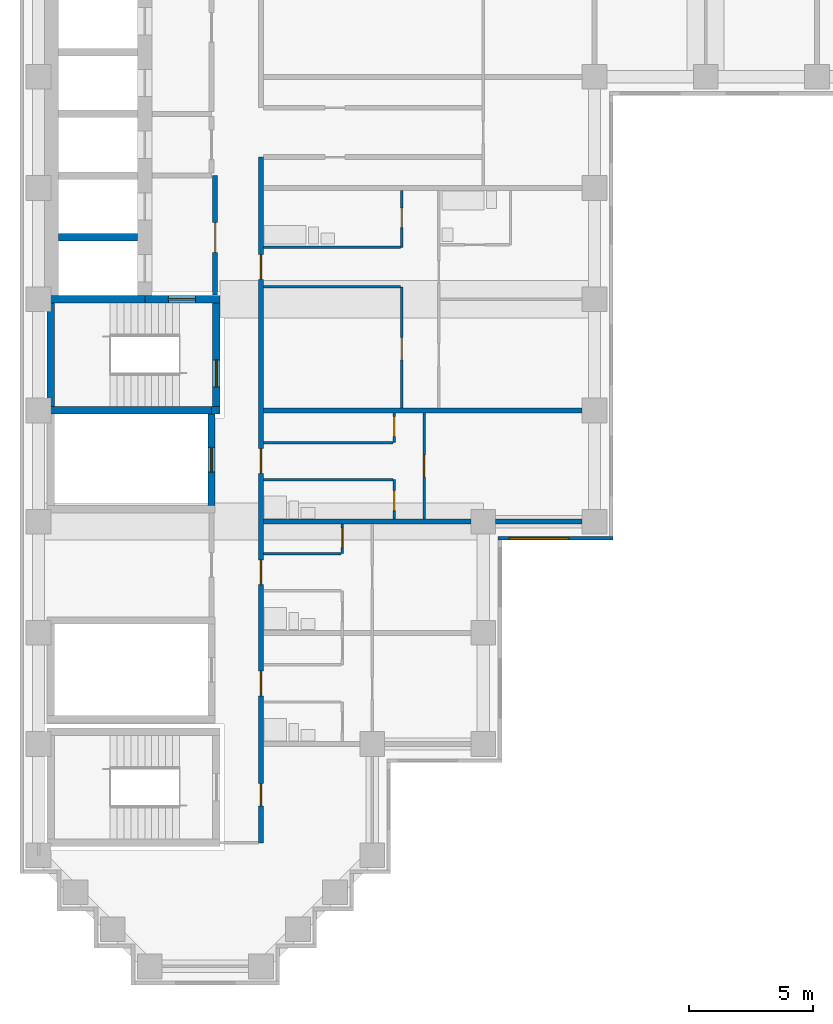
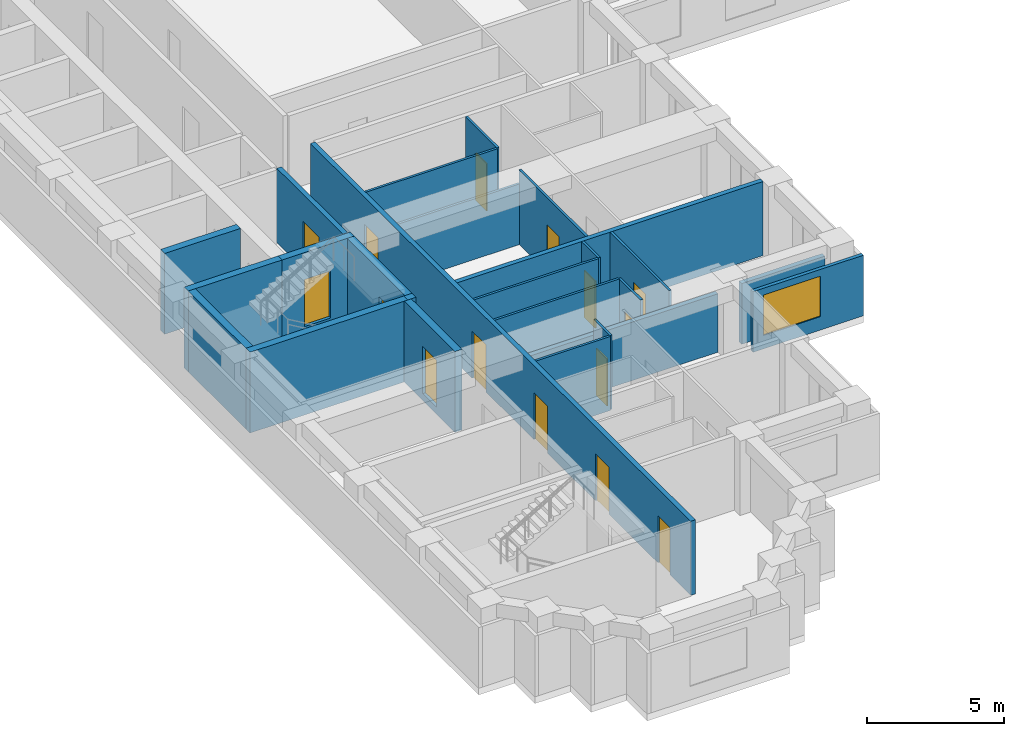
# One storey, part 3 of 12: 25 walls, 15 doors, 1 window, 16 openings.
"""IFC4 building model written with IfcOpenShell, lengths in metres."""

from ifc_helpers import new_model, si_unit, direction, frame, frame_2d, origin, place, context, subcontext, project, spatial, rectangle, extrude, material, layer, layer_set, type_object, element, fill, save


model = new_model("IFC4")

# Units and contexts
model_context = context("Model", 3, precision=1e-05, world=origin(), true_north=direction((0.0, 1.0)))
body_context = subcontext(model_context, "Body", "Model", "MODEL_VIEW")
ifc_project = project(units=[si_unit("LENGTHUNIT", "METRE"), si_unit("AREAUNIT", "SQUARE_METRE"), si_unit("VOLUMEUNIT", "CUBIC_METRE"), si_unit("PLANEANGLEUNIT", "RADIAN"), si_unit("MASSUNIT", "GRAM", prefix="KILO")], contexts=[model_context])

# Site, building, storey
site_placement = place(None, origin())
site = spatial("IfcSite", under=ifc_project, at=site_placement, CompositionType="ELEMENT")
building_placement = place(site_placement, origin())
building = spatial("IfcBuilding", under=site, at=building_placement, Name="Firuza Court", CompositionType="ELEMENT")
storey_placement = place(building_placement, frame((0.0, 0.0, 152.0)))
storey = spatial("IfcBuildingStorey", under=building, at=storey_placement, Name="L38", CompositionType="ELEMENT", Elevation=152.0)

# Walls
ifc_material_1 = material(Name="Moisture-resistant gypsum board partition")
ifc_layer_1 = layer(ifc_material_1, 0.10009765625)
ifc_layer_set_1 = layer_set([ifc_layer_1], Name="Moisture-resistant gypsum board partition")
wall_type_1 = type_object("IfcWallType", Name="Bathroom partition 100", PredefinedType="PLUMBINGWALL", material=ifc_layer_set_1)
wall_1_placement = place(storey_placement, frame((9.10009765625, 19.699951171875, 0.0), z_axis=(0.0, 0.0, 1.0), x_axis=(1.0, 0.0, 0.0)))
element("IfcWall", 1, at=wall_1_placement, inside=storey, type_object=wall_type_1, Name="Bathroom partition 100 L38", PredefinedType="PLUMBINGWALL", context=body_context, shape_type="SweptSolid", body=[
    extrude(rectangle(XDim=5.25, YDim=0.10009765625, at=frame_2d((2.625, 0.0))), origin(), (0.0, 0.0, 1.0), 3.300048828125),
])
wall_2_placement = place(storey_placement, frame((9.10009765625, 29.10009765625, 0.0), z_axis=(0.0, 0.0, 1.0), x_axis=(1.0, 0.0, 0.0)))
element("IfcWall", 2, at=wall_2_placement, inside=storey, type_object=wall_type_1, Name="Bathroom partition 100 L38", PredefinedType="PLUMBINGWALL", context=body_context, shape_type="SweptSolid", body=[
    extrude(rectangle(XDim=5.5498046875, YDim=0.10009765625, at=frame_2d((2.77490234375, 0.0))), origin(), (0.0, 0.0, 1.0), 3.300048828125),
])
ifc_material_2 = material(Name="Concrete C60/75", Category="concrete")
ifc_layer_2 = layer(ifc_material_2, 0.300048828125)
ifc_layer_set_2 = layer_set([ifc_layer_2], Name="Concrete C60/75")
wall_type_2 = type_object("IfcWallType", Name="Core wall 300 C60/75", PredefinedType="SHEAR", material=ifc_layer_set_2)
wall_3_placement = place(storey_placement, frame((0.35009765625, 22.5, -0.300048828125), z_axis=(0.0, 0.0, 1.0), x_axis=(1.0, 0.0, 0.0)))
element("IfcWall", 3, at=wall_3_placement, inside=storey, type_object=wall_type_2, Name="Core wall riser L38", PredefinedType="SHEAR", context=body_context, shape_type="SweptSolid", body=[
    extrude(rectangle(XDim=6.64990234375, YDim=0.300048828125, at=frame_2d((3.324951171875, 0.0))), origin(), (0.0, 0.0, 1.0), 3.60009765625),
])
wall_4_placement = place(storey_placement, frame((0.35009765625, 27.0, -0.300048828125), z_axis=(0.0, 0.0, 1.0), x_axis=(1.0, 0.0, 0.0)))
element("IfcWall", 4, at=wall_4_placement, inside=storey, type_object=wall_type_2, Name="Core wall lift shaft L38", PredefinedType="SHEAR", context=body_context, shape_type="SweptSolid", body=[
    extrude(rectangle(XDim=3.949951171875, YDim=0.300048828125, at=frame_2d((1.97509765625, 0.0))), origin(), (0.0, 0.0, 1.0), 3.60009765625),
])
wall_5_placement = place(storey_placement, frame((0.5, 22.64990234375, -0.300048828125), z_axis=(0.0, 0.0, 1.0), x_axis=(0.0, 1.0, 0.0)))
element("IfcWall", 5, at=wall_5_placement, inside=storey, type_object=wall_type_2, Name="Core wall stair L38", PredefinedType="SHEAR", context=body_context, shape_type="SweptSolid", body=[
    extrude(rectangle(XDim=4.2001953125, YDim=0.300048828125, at=frame_2d((2.10009765625, 0.0))), origin(), (0.0, 0.0, 1.0), 3.60009765625),
])
wall_6_placement = place(storey_placement, frame((0.800048828125, 29.5, -0.300048828125), z_axis=(0.0, 0.0, 1.0), x_axis=(1.0, 0.0, 0.0)))
element("IfcWall", 6, at=wall_6_placement, inside=storey, type_object=wall_type_2, Name="Core wall lift shaft L38", PredefinedType="SHEAR", context=body_context, shape_type="SweptSolid", body=[
    extrude(rectangle(XDim=3.199951171875, YDim=0.300048828125, at=frame_2d((1.60009765625, 0.0))), origin(), (0.0, 0.0, 1.0), 3.60009765625),
])

# Wall, opening, door
wall_7_placement = place(storey_placement, frame((4.300048828125, 27.0, -0.300048828125), z_axis=(0.0, 0.0, 1.0), x_axis=(1.0, 0.0, 0.0)))
wall_7 = element("IfcWall", 7, at=wall_7_placement, inside=storey, type_object=wall_type_2, Name="Core wall stair L38", PredefinedType="SHEAR", context=body_context, shape_type="SweptSolid", body=[
    extrude(rectangle(XDim=3.050048828125, YDim=0.300048828125, at=frame_2d((1.52490234375, 0.0))), origin(), (0.0, 0.0, 1.0), 3.60009765625),
])
opening_1_placement = place(wall_7_placement, frame((0.949951171875, 0.0, 0.300048828125)))
opening_1 = element("IfcOpeningElement", 8, at=opening_1_placement, cuts=wall_7, Name="Opening D38013", PredefinedType="OPENING", context=body_context, shape_type="SweptSolid", body=[
    extrude(rectangle(XDim=1.10009765625, YDim=2.10009765625, at=frame_2d((0.550048828125, 1.050048828125))), frame((0.0, 0.162109375, 0.0), z_axis=(0.0, -1.0, 0.0), x_axis=(1.0, 0.0, 0.0)), (0.0, 0.0, 1.0), 0.323974609375),
])
ifc_material_3 = material(Name="Timber door leaf in hardwood frame", Category="wood")
door_type_1 = type_object("IfcDoorType", Name="Stair door 1100", OperationType="SINGLE_SWING_LEFT", PredefinedType="DOOR", material=ifc_material_3)
door_1_placement = place(opening_1_placement, frame((1.10009765625, 0.0, 0.0), z_axis=(0.0, 0.0, 1.0), x_axis=(-1.0, 0.0, 0.0)))
door_1 = element("IfcDoor", 9, at=door_1_placement, inside=storey, type_object=door_type_1, Name="Fire-fighting lobby door", OperationType="SINGLE_SWING_LEFT", OverallHeight=2.10009765625, OverallWidth=1.10009765625, PredefinedType="DOOR", context=body_context, shape_type="SweptSolid", body=[
    extrude(rectangle(XDim=1.10009765625, YDim=2.10009765625, at=frame_2d((0.550048828125, 1.050048828125))), frame((0.0, 0.02490234375, 0.0), z_axis=(0.0, -1.0, 0.0), x_axis=(1.0, 0.0, 0.0)), (0.0, 0.0, 1.0), 0.050048828125),
])
fill(opening_1, door_1)

wall_8_placement = place(storey_placement, frame((7.0, 18.64990234375, -0.300048828125), z_axis=(0.0, 0.0, 1.0), x_axis=(0.0, 1.0, 0.0)))
wall_8 = element("IfcWall", 10, at=wall_8_placement, inside=storey, type_object=wall_type_2, Name="Core wall riser L38", PredefinedType="SHEAR", context=body_context, shape_type="SweptSolid", body=[
    extrude(rectangle(XDim=3.7001953125, YDim=0.300048828125, at=frame_2d((1.85009765625, 0.0))), origin(), (0.0, 0.0, 1.0), 3.60009765625),
])
opening_2_placement = place(wall_8_placement, frame((1.35009765625, 0.0, 0.300048828125)))
opening_2 = element("IfcOpeningElement", 11, at=opening_2_placement, cuts=wall_8, Name="Opening D38009", PredefinedType="OPENING", context=body_context, shape_type="SweptSolid", body=[
    extrude(rectangle(XDim=1.0, YDim=2.10009765625, at=frame_2d((0.5, 1.050048828125))), frame((0.0, 0.162109375, 0.0), z_axis=(0.0, -1.0, 0.0), x_axis=(1.0, 0.0, 0.0)), (0.0, 0.0, 1.0), 0.323974609375),
])
ifc_material_4 = material(Name="Timber door leaf in hardwood frame", Category="wood")
door_type_2 = type_object("IfcDoorType", Name="Riser door 1000", OperationType="SINGLE_SWING_LEFT", PredefinedType="DOOR", material=ifc_material_4)
door_2_placement = place(opening_2_placement, origin())
door_2 = element("IfcDoor", 12, at=door_2_placement, inside=storey, type_object=door_type_2, Name="Riser door R1", OperationType="SINGLE_SWING_LEFT", OverallHeight=2.10009765625, OverallWidth=1.0, PredefinedType="DOOR", context=body_context, shape_type="SweptSolid", body=[
    extrude(rectangle(XDim=1.0, YDim=2.10009765625, at=frame_2d((0.5, 1.050048828125))), frame((0.0, 0.02490234375, 0.0), z_axis=(0.0, -1.0, 0.0), x_axis=(1.0, 0.0, 0.0)), (0.0, 0.0, 1.0), 0.050048828125),
])
fill(opening_2, door_2)

# Wall
wall_9_placement = place(storey_placement, frame((7.0, 22.5, -0.300048828125), z_axis=(0.0, 0.0, 1.0), x_axis=(1.0, 0.0, 0.0)))
element("IfcWall", 13, at=wall_9_placement, inside=storey, type_object=wall_type_2, Name="Core wall stair L38", PredefinedType="SHEAR", context=body_context, shape_type="SweptSolid", body=[
    extrude(rectangle(XDim=0.35009765625, YDim=0.300048828125, at=frame_2d((0.175048828125, 0.0))), origin(), (0.0, 0.0, 1.0), 3.60009765625),
])

# Wall, opening, door
wall_10_placement = place(storey_placement, frame((7.199951171875, 22.64990234375, -0.300048828125), z_axis=(0.0, 0.0, 1.0), x_axis=(0.0, 1.0, 0.0)))
wall_10 = element("IfcWall", 14, at=wall_10_placement, inside=storey, type_object=wall_type_2, Name="Core wall stair L38", PredefinedType="SHEAR", context=body_context, shape_type="SweptSolid", body=[
    extrude(rectangle(XDim=4.2001953125, YDim=0.300048828125, at=frame_2d((2.10009765625, 0.0))), origin(), (0.0, 0.0, 1.0), 3.60009765625),
])
opening_3_placement = place(wall_10_placement, frame((0.800048828125, 0.0, 0.300048828125)))
opening_3 = element("IfcOpeningElement", 15, at=opening_3_placement, cuts=wall_10, Name="Opening D38014", PredefinedType="OPENING", context=body_context, shape_type="SweptSolid", body=[
    extrude(rectangle(XDim=1.10009765625, YDim=2.10009765625, at=frame_2d((0.550048828125, 1.050048828125))), frame((0.0, 0.162109375, 0.0), z_axis=(0.0, -1.0, 0.0), x_axis=(1.0, 0.0, 0.0)), (0.0, 0.0, 1.0), 0.323974609375),
])
door_3_placement = place(opening_3_placement, origin())
door_3 = element("IfcDoor", 16, at=door_3_placement, inside=storey, type_object=door_type_1, Name="Stair door S2", OperationType="SINGLE_SWING_LEFT", OverallHeight=2.10009765625, OverallWidth=1.10009765625, PredefinedType="DOOR", context=body_context, shape_type="SweptSolid", body=[
    extrude(rectangle(XDim=1.10009765625, YDim=2.10009765625, at=frame_2d((0.550048828125, 1.050048828125))), frame((0.0, 0.02490234375, 0.0), z_axis=(0.0, -1.0, 0.0), x_axis=(1.0, 0.0, 0.0)), (0.0, 0.0, 1.0), 0.050048828125),
])
fill(opening_3, door_3)

# Wall, openings, doors
ifc_material_5 = material(Name="Blockwork, plastered both sides", Category="masonry")
ifc_layer_3 = layer(ifc_material_5, 0.199951171875)
ifc_layer_set_3 = layer_set([ifc_layer_3], Name="Blockwork, plastered both sides")
wall_type_3 = type_object("IfcWallType", Name="Corridor wall 200", PredefinedType="PARTITIONING", material=ifc_layer_set_3)
wall_11_placement = place(storey_placement, frame((9.0, 5.0, 0.0), z_axis=(0.0, 0.0, 1.0), x_axis=(0.0, 1.0, 0.0)))
wall_11 = element("IfcWall", 17, at=wall_11_placement, inside=storey, type_object=wall_type_3, Name="Corridor wall 200 L38", PredefinedType="PARTITIONING", context=body_context, shape_type="SweptSolid", body=[
    extrude(rectangle(XDim=27.75, YDim=0.199951171875, at=frame_2d((13.875, 0.0))), origin(), (0.0, 0.0, 1.0), 3.300048828125),
])
opening_4_placement = place(wall_11_placement, frame((22.800048828125, 0.0, 0.0)))
opening_4 = element("IfcOpeningElement", 18, at=opening_4_placement, cuts=wall_11, Name="Opening D38018", PredefinedType="OPENING", context=body_context, shape_type="SweptSolid", body=[
    extrude(rectangle(XDim=1.0, YDim=2.10009765625, at=frame_2d((0.5, 1.050048828125))), frame((0.0, 0.11181640625, 0.0), z_axis=(0.0, -1.0, 0.0), x_axis=(1.0, 0.0, 0.0)), (0.0, 0.0, 1.0), 0.223876953125),
])
opening_5_placement = place(wall_11_placement, frame((14.949951171875, 0.0, 0.0)))
opening_5 = element("IfcOpeningElement", 19, at=opening_5_placement, cuts=wall_11, Name="Opening D38019", PredefinedType="OPENING", context=body_context, shape_type="SweptSolid", body=[
    extrude(rectangle(XDim=1.0, YDim=2.10009765625, at=frame_2d((0.5, 1.050048828125))), frame((0.0, 0.11181640625, 0.0), z_axis=(0.0, -1.0, 0.0), x_axis=(1.0, 0.0, 0.0)), (0.0, 0.0, 1.0), 0.223876953125),
])
opening_6_placement = place(wall_11_placement, frame((10.449951171875, 0.0, 0.0)))
opening_6 = element("IfcOpeningElement", 20, at=opening_6_placement, cuts=wall_11, Name="Opening D38020", PredefinedType="OPENING", context=body_context, shape_type="SweptSolid", body=[
    extrude(rectangle(XDim=1.0, YDim=2.10009765625, at=frame_2d((0.5, 1.050048828125))), frame((0.0, 0.11181640625, 0.0), z_axis=(0.0, -1.0, 0.0), x_axis=(1.0, 0.0, 0.0)), (0.0, 0.0, 1.0), 0.223876953125),
])
opening_7_placement = place(wall_11_placement, frame((5.949951171875, 0.0, 0.0)))
opening_7 = element("IfcOpeningElement", 21, at=opening_7_placement, cuts=wall_11, Name="Opening D38021", PredefinedType="OPENING", context=body_context, shape_type="SweptSolid", body=[
    extrude(rectangle(XDim=1.0, YDim=2.10009765625, at=frame_2d((0.5, 1.050048828125))), frame((0.0, 0.11181640625, 0.0), z_axis=(0.0, -1.0, 0.0), x_axis=(1.0, 0.0, 0.0)), (0.0, 0.0, 1.0), 0.223876953125),
])
opening_8_placement = place(wall_11_placement, frame((1.5, 0.0, 0.0)))
opening_8 = element("IfcOpeningElement", 22, at=opening_8_placement, cuts=wall_11, Name="Opening D38022", PredefinedType="OPENING", context=body_context, shape_type="SweptSolid", body=[
    extrude(rectangle(XDim=0.89990234375, YDim=2.10009765625, at=frame_2d((0.449951171875, 1.050048828125))), frame((0.0, 0.11181640625, 0.0), z_axis=(0.0, -1.0, 0.0), x_axis=(1.0, 0.0, 0.0)), (0.0, 0.0, 1.0), 0.223876953125),
])
ifc_material_6 = material(Name="Timber door leaf in hardwood frame", Category="wood")
door_type_3 = type_object("IfcDoorType", Name="Flat entrance door 1000", OperationType="SINGLE_SWING_LEFT", PredefinedType="DOOR", material=ifc_material_6)
door_4_placement = place(opening_4_placement, origin())
door_4 = element("IfcDoor", 23, at=door_4_placement, inside=storey, type_object=door_type_3, Name="Flat entrance door", OperationType="SINGLE_SWING_LEFT", OverallHeight=2.10009765625, OverallWidth=1.0, PredefinedType="DOOR", context=body_context, shape_type="SweptSolid", body=[
    extrude(rectangle(XDim=1.0, YDim=2.10009765625, at=frame_2d((0.5, 1.050048828125))), frame((0.0, 0.02490234375, 0.0), z_axis=(0.0, -1.0, 0.0), x_axis=(1.0, 0.0, 0.0)), (0.0, 0.0, 1.0), 0.050048828125),
])
fill(opening_4, door_4)
door_5_placement = place(opening_5_placement, origin())
door_5 = element("IfcDoor", 24, at=door_5_placement, inside=storey, type_object=door_type_3, Name="Flat entrance door", OperationType="SINGLE_SWING_LEFT", OverallHeight=2.10009765625, OverallWidth=1.0, PredefinedType="DOOR", context=body_context, shape_type="SweptSolid", body=[
    extrude(rectangle(XDim=1.0, YDim=2.10009765625, at=frame_2d((0.5, 1.050048828125))), frame((0.0, 0.02490234375, 0.0), z_axis=(0.0, -1.0, 0.0), x_axis=(1.0, 0.0, 0.0)), (0.0, 0.0, 1.0), 0.050048828125),
])
fill(opening_5, door_5)
door_6_placement = place(opening_6_placement, origin())
door_6 = element("IfcDoor", 25, at=door_6_placement, inside=storey, type_object=door_type_3, Name="Flat entrance door", OperationType="SINGLE_SWING_LEFT", OverallHeight=2.10009765625, OverallWidth=1.0, PredefinedType="DOOR", context=body_context, shape_type="SweptSolid", body=[
    extrude(rectangle(XDim=1.0, YDim=2.10009765625, at=frame_2d((0.5, 1.050048828125))), frame((0.0, 0.02490234375, 0.0), z_axis=(0.0, -1.0, 0.0), x_axis=(1.0, 0.0, 0.0)), (0.0, 0.0, 1.0), 0.050048828125),
])
fill(opening_6, door_6)
door_7_placement = place(opening_7_placement, origin())
door_7 = element("IfcDoor", 26, at=door_7_placement, inside=storey, type_object=door_type_3, Name="Flat entrance door", OperationType="SINGLE_SWING_LEFT", OverallHeight=2.10009765625, OverallWidth=1.0, PredefinedType="DOOR", context=body_context, shape_type="SweptSolid", body=[
    extrude(rectangle(XDim=1.0, YDim=2.10009765625, at=frame_2d((0.5, 1.050048828125))), frame((0.0, 0.02490234375, 0.0), z_axis=(0.0, -1.0, 0.0), x_axis=(1.0, 0.0, 0.0)), (0.0, 0.0, 1.0), 0.050048828125),
])
fill(opening_7, door_7)
ifc_material_7 = material(Name="Timber door leaf in hardwood frame", Category="wood")
door_type_4 = type_object("IfcDoorType", Name="Room door 900 EI 30", OperationType="SINGLE_SWING_LEFT", PredefinedType="DOOR", material=ifc_material_7)
door_8_placement = place(opening_8_placement, frame((0.89990234375, 0.0, 0.0), z_axis=(0.0, 0.0, 1.0), x_axis=(-1.0, 0.0, 0.0)))
door_8 = element("IfcDoor", 27, at=door_8_placement, inside=storey, type_object=door_type_4, Name="Games room door", OperationType="SINGLE_SWING_LEFT", OverallHeight=2.10009765625, OverallWidth=0.89990234375, PredefinedType="DOOR", context=body_context, shape_type="SweptSolid", body=[
    extrude(rectangle(XDim=0.89990234375, YDim=2.10009765625, at=frame_2d((0.449951171875, 1.050048828125))), frame((0.0, 0.02490234375, 0.0), z_axis=(0.0, -1.0, 0.0), x_axis=(1.0, 0.0, 0.0)), (0.0, 0.0, 1.0), 0.050048828125),
])
fill(opening_8, door_8)

# Wall
ifc_material_8 = material(Name="Timber stud partition, plasterboard both sides", Category="wood")
ifc_layer_4 = layer(ifc_material_8, 0.10009765625)
ifc_layer_set_4 = layer_set([ifc_layer_4], Name="Timber stud partition, plasterboard both sides")
wall_type_4 = type_object("IfcWallType", Name="Partition wall 100", PredefinedType="PARTITIONING", material=ifc_layer_set_4)
wall_12_placement = place(storey_placement, frame((9.10009765625, 16.699951171875, 0.0), z_axis=(0.0, 0.0, 1.0), x_axis=(1.0, 0.0, 0.0)))
element("IfcWall", 28, at=wall_12_placement, inside=storey, type_object=wall_type_4, Name="Partition wall 100 L38", PredefinedType="PARTITIONING", context=body_context, shape_type="SweptSolid", body=[
    extrude(rectangle(XDim=3.14990234375, YDim=0.10009765625, at=frame_2d((1.574951171875, 0.0))), origin(), (0.0, 0.0, 1.0), 3.300048828125),
])

# Wall, opening, door
wall_13_placement = place(storey_placement, frame((12.300048828125, 16.699951171875, 0.0), z_axis=(0.0, 0.0, 1.0), x_axis=(0.0, 1.0, 0.0)))
wall_13 = element("IfcWall", 29, at=wall_13_placement, inside=storey, type_object=wall_type_4, Name="Partition wall 100 L38", PredefinedType="PARTITIONING", context=body_context, shape_type="SweptSolid", body=[
    extrude(rectangle(XDim=1.199951171875, YDim=0.10009765625, at=frame_2d((0.60009765625, 0.0))), origin(), (0.0, 0.0, 1.0), 3.300048828125),
])
opening_9_placement = place(wall_13_placement, frame((0.25, 0.0, 0.0)))
opening_9 = element("IfcOpeningElement", 30, at=opening_9_placement, cuts=wall_13, Name="Opening D38029", PredefinedType="OPENING", context=body_context, shape_type="SweptSolid", body=[
    extrude(rectangle(XDim=0.800048828125, YDim=2.10009765625, at=frame_2d((0.39990234375, 1.050048828125))), frame((0.0, 0.06201171875, 0.0), z_axis=(0.0, -1.0, 0.0), x_axis=(1.0, 0.0, 0.0)), (0.0, 0.0, 1.0), 0.1240234375),
])
ifc_material_9 = material(Name="Timber door leaf in hardwood frame", Category="wood")
door_type_5 = type_object("IfcDoorType", Name="Room door 800", OperationType="SINGLE_SWING_LEFT", PredefinedType="DOOR", material=ifc_material_9)
door_9_placement = place(opening_9_placement, origin())
door_9 = element("IfcDoor", 31, at=door_9_placement, inside=storey, type_object=door_type_5, Name="Kitchen door", OperationType="SINGLE_SWING_LEFT", OverallHeight=2.10009765625, OverallWidth=0.800048828125, PredefinedType="DOOR", context=body_context, shape_type="SweptSolid", body=[
    extrude(rectangle(XDim=0.800048828125, YDim=2.10009765625, at=frame_2d((0.39990234375, 1.050048828125))), frame((0.0, 0.02490234375, 0.0), z_axis=(0.0, -1.0, 0.0), x_axis=(1.0, 0.0, 0.0)), (0.0, 0.0, 1.0), 0.050048828125),
])
fill(opening_9, door_9)

wall_14_placement = place(storey_placement, frame((14.39990234375, 18.10009765625, 0.0), z_axis=(0.0, 0.0, 1.0), x_axis=(0.0, 1.0, 0.0)))
wall_14 = element("IfcWall", 32, at=wall_14_placement, inside=storey, type_object=wall_type_4, Name="Partition wall 100 L38", PredefinedType="PARTITIONING", context=body_context, shape_type="SweptSolid", body=[
    extrude(rectangle(XDim=1.599853515625, YDim=0.10009765625, at=frame_2d((0.7998046875, 0.0))), origin(), (0.0, 0.0, 1.0), 3.300048828125),
])
opening_10_placement = place(wall_14_placement, frame((0.35009765625, 0.0, 0.0)))
opening_10 = element("IfcOpeningElement", 33, at=opening_10_placement, cuts=wall_14, Name="Opening D38030", PredefinedType="OPENING", context=body_context, shape_type="SweptSolid", body=[
    extrude(rectangle(XDim=0.800048828125, YDim=2.10009765625, at=frame_2d((0.39990234375, 1.050048828125))), frame((0.0, 0.06201171875, 0.0), z_axis=(0.0, -1.0, 0.0), x_axis=(1.0, 0.0, 0.0)), (0.0, 0.0, 1.0), 0.1240234375),
])
ifc_material_10 = material(Name="Timber door leaf in hardwood frame", Category="wood")
door_type_6 = type_object("IfcDoorType", Name="Bathroom door 800", OperationType="SINGLE_SWING_LEFT", PredefinedType="DOOR", material=ifc_material_10)
door_10_placement = place(opening_10_placement, origin())
door_10 = element("IfcDoor", 34, at=door_10_placement, inside=storey, type_object=door_type_6, Name="Bathroom door", OperationType="SINGLE_SWING_LEFT", OverallHeight=2.10009765625, OverallWidth=0.800048828125, PredefinedType="DOOR", context=body_context, shape_type="SweptSolid", body=[
    extrude(rectangle(XDim=0.800048828125, YDim=2.10009765625, at=frame_2d((0.39990234375, 1.050048828125))), frame((0.0, 0.02490234375, 0.0), z_axis=(0.0, -1.0, 0.0), x_axis=(1.0, 0.0, 0.0)), (0.0, 0.0, 1.0), 0.050048828125),
])
fill(opening_10, door_10)

wall_15_placement = place(storey_placement, frame((15.60009765625, 18.10009765625, 0.0), z_axis=(0.0, 0.0, 1.0), x_axis=(0.0, 1.0, 0.0)))
wall_15 = element("IfcWall", 35, at=wall_15_placement, inside=storey, type_object=wall_type_4, Name="Partition wall 100 L38", PredefinedType="PARTITIONING", context=body_context, shape_type="SweptSolid", body=[
    extrude(rectangle(XDim=4.2998046875, YDim=0.10009765625, at=frame_2d((2.14990234375, 0.0))), origin(), (0.0, 0.0, 1.0), 3.300048828125),
])
opening_11_placement = place(wall_15_placement, frame((1.699951171875, 0.0, 0.0)))
opening_11 = element("IfcOpeningElement", 36, at=opening_11_placement, cuts=wall_15, Name="Opening D38031", PredefinedType="OPENING", context=body_context, shape_type="SweptSolid", body=[
    extrude(rectangle(XDim=0.89990234375, YDim=2.10009765625, at=frame_2d((0.449951171875, 1.050048828125))), frame((0.0, 0.06201171875, 0.0), z_axis=(0.0, -1.0, 0.0), x_axis=(1.0, 0.0, 0.0)), (0.0, 0.0, 1.0), 0.1240234375),
])
ifc_material_11 = material(Name="Timber door leaf in hardwood frame", Category="wood")
door_type_7 = type_object("IfcDoorType", Name="Room door 900", OperationType="SINGLE_SWING_LEFT", PredefinedType="DOOR", material=ifc_material_11)
door_11_placement = place(opening_11_placement, frame((0.89990234375, 0.0, 0.0), z_axis=(0.0, 0.0, 1.0), x_axis=(-1.0, 0.0, 0.0)))
door_11 = element("IfcDoor", 37, at=door_11_placement, inside=storey, type_object=door_type_7, Name="Studio room door", OperationType="SINGLE_SWING_RIGHT", OverallHeight=2.10009765625, OverallWidth=0.89990234375, PredefinedType="DOOR", context=body_context, shape_type="SweptSolid", body=[
    extrude(rectangle(XDim=0.89990234375, YDim=2.10009765625, at=frame_2d((0.449951171875, 1.050048828125))), frame((0.0, 0.02490234375, 0.0), z_axis=(0.0, -1.0, 0.0), x_axis=(1.0, 0.0, 0.0)), (0.0, 0.0, 1.0), 0.050048828125),
])
fill(opening_11, door_11)

# Wall
wall_16_placement = place(storey_placement, frame((9.10009765625, 21.199951171875, 0.0), z_axis=(0.0, 0.0, 1.0), x_axis=(1.0, 0.0, 0.0)))
element("IfcWall", 38, at=wall_16_placement, inside=storey, type_object=wall_type_4, Name="Partition wall 100 L38", PredefinedType="PARTITIONING", context=body_context, shape_type="SweptSolid", body=[
    extrude(rectangle(XDim=5.25, YDim=0.10009765625, at=frame_2d((2.625, 0.0))), origin(), (0.0, 0.0, 1.0), 3.300048828125),
])

# Wall, opening, door
wall_17_placement = place(storey_placement, frame((14.39990234375, 21.199951171875, 0.0), z_axis=(0.0, 0.0, 1.0), x_axis=(0.0, 1.0, 0.0)))
wall_17 = element("IfcWall", 39, at=wall_17_placement, inside=storey, type_object=wall_type_4, Name="Partition wall 100 L38", PredefinedType="PARTITIONING", context=body_context, shape_type="SweptSolid", body=[
    extrude(rectangle(XDim=1.199951171875, YDim=0.10009765625, at=frame_2d((0.60009765625, 0.0))), origin(), (0.0, 0.0, 1.0), 3.300048828125),
])
opening_12_placement = place(wall_17_placement, frame((0.25, 0.0, 0.0)))
opening_12 = element("IfcOpeningElement", 40, at=opening_12_placement, cuts=wall_17, Name="Opening D38032", PredefinedType="OPENING", context=body_context, shape_type="SweptSolid", body=[
    extrude(rectangle(XDim=0.800048828125, YDim=2.10009765625, at=frame_2d((0.39990234375, 1.050048828125))), frame((0.0, 0.06201171875, 0.0), z_axis=(0.0, -1.0, 0.0), x_axis=(1.0, 0.0, 0.0)), (0.0, 0.0, 1.0), 0.1240234375),
])
door_12_placement = place(opening_12_placement, origin())
door_12 = element("IfcDoor", 41, at=door_12_placement, inside=storey, type_object=door_type_5, Name="Kitchen door", OperationType="SINGLE_SWING_LEFT", OverallHeight=2.10009765625, OverallWidth=0.800048828125, PredefinedType="DOOR", context=body_context, shape_type="SweptSolid", body=[
    extrude(rectangle(XDim=0.800048828125, YDim=2.10009765625, at=frame_2d((0.39990234375, 1.050048828125))), frame((0.0, 0.02490234375, 0.0), z_axis=(0.0, -1.0, 0.0), x_axis=(1.0, 0.0, 0.0)), (0.0, 0.0, 1.0), 0.050048828125),
])
fill(opening_12, door_12)

wall_18_placement = place(storey_placement, frame((14.699951171875, 22.60009765625, 0.0), z_axis=(0.0, 0.0, 1.0), x_axis=(0.0, 1.0, 0.0)))
wall_18 = element("IfcWall", 42, at=wall_18_placement, inside=storey, type_object=wall_type_4, Name="Partition wall 100 L38", PredefinedType="PARTITIONING", context=body_context, shape_type="SweptSolid", body=[
    extrude(rectangle(XDim=4.89990234375, YDim=0.10009765625, at=frame_2d((2.449951171875, 0.0))), origin(), (0.0, 0.0, 1.0), 3.300048828125),
])
opening_13_placement = place(wall_18_placement, frame((1.949951171875, 0.0, 0.0)))
opening_13 = element("IfcOpeningElement", 43, at=opening_13_placement, cuts=wall_18, Name="Opening D38033", PredefinedType="OPENING", context=body_context, shape_type="SweptSolid", body=[
    extrude(rectangle(XDim=0.89990234375, YDim=2.10009765625, at=frame_2d((0.449951171875, 1.050048828125))), frame((0.0, 0.06201171875, 0.0), z_axis=(0.0, -1.0, 0.0), x_axis=(1.0, 0.0, 0.0)), (0.0, 0.0, 1.0), 0.1240234375),
])
door_13_placement = place(opening_13_placement, origin())
door_13 = element("IfcDoor", 44, at=door_13_placement, inside=storey, type_object=door_type_7, Name="Kitchen door", OperationType="SINGLE_SWING_LEFT", OverallHeight=2.10009765625, OverallWidth=0.89990234375, PredefinedType="DOOR", context=body_context, shape_type="SweptSolid", body=[
    extrude(rectangle(XDim=0.89990234375, YDim=2.10009765625, at=frame_2d((0.449951171875, 1.050048828125))), frame((0.0, 0.02490234375, 0.0), z_axis=(0.0, -1.0, 0.0), x_axis=(1.0, 0.0, 0.0)), (0.0, 0.0, 1.0), 0.050048828125),
])
fill(opening_13, door_13)

# Wall
wall_19_placement = place(storey_placement, frame((9.10009765625, 27.5, 0.0), z_axis=(0.0, 0.0, 1.0), x_axis=(1.0, 0.0, 0.0)))
element("IfcWall", 45, at=wall_19_placement, inside=storey, type_object=wall_type_4, Name="Partition wall 100 L38", PredefinedType="PARTITIONING", context=body_context, shape_type="SweptSolid", body=[
    extrude(rectangle(XDim=5.5498046875, YDim=0.10009765625, at=frame_2d((2.77490234375, 0.0))), origin(), (0.0, 0.0, 1.0), 2.699951171875),
])

# Wall, opening, door
wall_20_placement = place(storey_placement, frame((14.699951171875, 29.10009765625, 0.0), z_axis=(0.0, 0.0, 1.0), x_axis=(0.0, 1.0, 0.0)))
wall_20 = element("IfcWall", 46, at=wall_20_placement, inside=storey, type_object=wall_type_4, Name="Partition wall 100 L38", PredefinedType="PARTITIONING", context=body_context, shape_type="SweptSolid", body=[
    extrude(rectangle(XDim=2.2998046875, YDim=0.10009765625, at=frame_2d((1.14990234375, 0.0))), origin(), (0.0, 0.0, 1.0), 3.300048828125),
])
opening_14_placement = place(wall_20_placement, frame((0.800048828125, 0.0, 0.0)))
opening_14 = element("IfcOpeningElement", 47, at=opening_14_placement, cuts=wall_20, Name="Opening D38036", PredefinedType="OPENING", context=body_context, shape_type="SweptSolid", body=[
    extrude(rectangle(XDim=0.800048828125, YDim=2.10009765625, at=frame_2d((0.39990234375, 1.050048828125))), frame((0.0, 0.06201171875, 0.0), z_axis=(0.0, -1.0, 0.0), x_axis=(1.0, 0.0, 0.0)), (0.0, 0.0, 1.0), 0.1240234375),
])
door_14_placement = place(opening_14_placement, origin())
door_14 = element("IfcDoor", 48, at=door_14_placement, inside=storey, type_object=door_type_6, Name="Bathroom door", OperationType="SINGLE_SWING_LEFT", OverallHeight=2.10009765625, OverallWidth=0.800048828125, PredefinedType="DOOR", context=body_context, shape_type="SweptSolid", body=[
    extrude(rectangle(XDim=0.800048828125, YDim=2.10009765625, at=frame_2d((0.39990234375, 1.050048828125))), frame((0.0, 0.02490234375, 0.0), z_axis=(0.0, -1.0, 0.0), x_axis=(1.0, 0.0, 0.0)), (0.0, 0.0, 1.0), 0.050048828125),
])
fill(opening_14, door_14)

# Walls
ifc_layer_5 = layer(ifc_material_5, 0.199951171875)
ifc_layer_set_5 = layer_set([ifc_layer_5], Name="Blockwork, plastered both sides")
wall_type_5 = type_object("IfcWallType", Name="Party wall 200", PredefinedType="PARTITIONING", material=ifc_layer_set_5)
wall_21_placement = place(storey_placement, frame((9.10009765625, 18.0, 0.0), z_axis=(0.0, 0.0, 1.0), x_axis=(1.0, 0.0, 0.0)))
element("IfcWall", 49, at=wall_21_placement, inside=storey, type_object=wall_type_5, Name="Party wall 200 L38", PredefinedType="PARTITIONING", context=body_context, shape_type="SweptSolid", body=[
    extrude(rectangle(XDim=8.39990234375, YDim=0.199951171875, at=frame_2d((4.199951171875, 0.0))), origin(), (0.0, 0.0, 1.0), 2.60009765625),
])
wall_22_placement = place(storey_placement, frame((18.5, 18.0, 0.0), z_axis=(0.0, 0.0, 1.0), x_axis=(1.0, 0.0, 0.0)))
element("IfcWall", 50, at=wall_22_placement, inside=storey, type_object=wall_type_5, Name="Party wall 200 L38", PredefinedType="PARTITIONING", context=body_context, shape_type="SweptSolid", body=[
    extrude(rectangle(XDim=3.5, YDim=0.199951171875, at=frame_2d((1.75, 0.0))), origin(), (0.0, 0.0, 1.0), 2.699951171875),
])
wall_23_placement = place(storey_placement, frame((9.10009765625, 22.5, 0.0), z_axis=(0.0, 0.0, 1.0), x_axis=(1.0, 0.0, 0.0)))
element("IfcWall", 51, at=wall_23_placement, inside=storey, type_object=wall_type_5, Name="Party wall 200 L38", PredefinedType="PARTITIONING", context=body_context, shape_type="SweptSolid", body=[
    extrude(rectangle(XDim=12.89990234375, YDim=0.199951171875, at=frame_2d((6.449951171875, 0.0))), origin(), (0.0, 0.0, 1.0), 3.300048828125),
])

# Wall, opening, window
ifc_material_12 = material(Name="Ceramic tile", Category="ceramic")
ifc_layer_6 = layer(ifc_material_12, 0.02001953125)
ifc_material_13 = material(Name="Mineral wool insulation", Category="insulation")
ifc_layer_7 = layer(ifc_material_13, 0.050048828125)
ifc_material_14 = material(Name="Concrete C40/50 precast", Category="concrete")
ifc_layer_8 = layer(ifc_material_14, 0.080078125)
ifc_layer_set_6 = layer_set([ifc_layer_6, ifc_layer_7, ifc_layer_8], Name="Concrete C40/50 precast")
wall_type_6 = type_object("IfcWallType", Name="Precast cladding wall with turquoise TILE PANEL face 150", PredefinedType="STANDARD", material=ifc_layer_set_6)
wall_24_placement = place(storey_placement, frame((18.60009765625, 17.324951171875, 0.0), z_axis=(0.0, 0.0, 1.0), x_axis=(1.0, 0.0, 0.0)))
wall_24 = element("IfcWall", 52, at=wall_24_placement, inside=storey, type_object=wall_type_6, Name="Facade wall L38 S", PredefinedType="STANDARD", context=body_context, shape_type="SweptSolid", body=[
    extrude(rectangle(XDim=4.64990234375, YDim=0.14990234375, at=frame_2d((2.324951171875, 0.0))), origin(), (0.0, 0.0, 1.0), 2.699951171875),
])
opening_15_placement = place(wall_24_placement, frame((0.449951171875, 0.0, 0.60009765625)))
opening_15 = element("IfcOpeningElement", 53, at=opening_15_placement, cuts=wall_24, Name="Opening W1", PredefinedType="OPENING", context=body_context, shape_type="SweptSolid", body=[
    extrude(rectangle(XDim=2.39990234375, YDim=1.800048828125, at=frame_2d((1.199951171875, 0.89990234375))), frame((0.0, 0.0869140625, 0.0), z_axis=(0.0, -1.0, 0.0), x_axis=(1.0, 0.0, 0.0)), (0.0, 0.0, 1.0), 0.173828125),
])
ifc_material_15 = material(Name="Aluminium frame, triple clear glazing", Category="aluminium")
window_type = type_object("IfcWindowType", Name="Window W1 2400 x 1800", PartitioningType="SINGLE_PANEL", PredefinedType="WINDOW", material=ifc_material_15)
window_placement = place(opening_15_placement, origin())
window = element("IfcWindow", 54, at=window_placement, inside=storey, type_object=window_type, Name="Window L38", OverallHeight=1.800048828125, OverallWidth=2.39990234375, PartitioningType="SINGLE_PANEL", PredefinedType="WINDOW", context=body_context, shape_type="SweptSolid", body=[
    extrude(rectangle(XDim=2.39990234375, YDim=1.800048828125, at=frame_2d((1.199951171875, 0.89990234375))), frame((0.0, 0.030029296875, 0.0), z_axis=(0.0, -1.0, 0.0), x_axis=(1.0, 0.0, 0.0)), (0.0, 0.0, 1.0), 0.06005859375),
])
fill(opening_15, window)

# Wall, opening, door
ifc_material_16 = material(Name="Blockwork, fire-rated", Category="masonry")
ifc_layer_9 = layer(ifc_material_16, 0.199951171875)
ifc_layer_set_7 = layer_set([ifc_layer_9], Name="Blockwork, fire-rated")
wall_type_7 = type_object("IfcWallType", Name="Shaft wall 200", PredefinedType="PARTITIONING", material=ifc_layer_set_7)
wall_25_placement = place(storey_placement, frame((7.14990234375, 27.169921875, 0.0), z_axis=(0.0, 0.0, 1.0), x_axis=(0.0, 1.0, 0.0)))
wall_25 = element("IfcWall", 55, at=wall_25_placement, inside=storey, type_object=wall_type_7, Name="Shaft wall 200 L38", PredefinedType="PARTITIONING", context=body_context, shape_type="SweptSolid", body=[
    extrude(rectangle(XDim=4.830078125, YDim=0.199951171875, at=frame_2d((2.4150390625, 0.0))), origin(), (0.0, 0.0, 1.0), 3.300048828125),
])
opening_16_placement = place(wall_25_placement, frame((1.72998046875, 0.0, 0.0)))
opening_16 = element("IfcOpeningElement", 56, at=opening_16_placement, cuts=wall_25, Name="Opening D38002", PredefinedType="OPENING", context=body_context, shape_type="SweptSolid", body=[
    extrude(rectangle(XDim=1.199951171875, YDim=2.10009765625, at=frame_2d((0.60009765625, 1.050048828125))), frame((0.0, 0.11181640625, 0.0), z_axis=(0.0, -1.0, 0.0), x_axis=(1.0, 0.0, 0.0)), (0.0, 0.0, 1.0), 0.223876953125),
])
ifc_material_17 = material(Name="Timber door leaf in hardwood frame", Category="wood")
door_type_8 = type_object("IfcDoorType", Name="Lobby door 1200", OperationType="SINGLE_SWING_LEFT", PredefinedType="DOOR", material=ifc_material_17)
door_15_placement = place(opening_16_placement, origin())
door_15 = element("IfcDoor", 57, at=door_15_placement, inside=storey, type_object=door_type_8, Name="Fire-fighting lobby door", OperationType="SINGLE_SWING_LEFT", OverallHeight=2.10009765625, OverallWidth=1.199951171875, PredefinedType="DOOR", context=body_context, shape_type="SweptSolid", body=[
    extrude(rectangle(XDim=1.199951171875, YDim=2.10009765625, at=frame_2d((0.60009765625, 1.050048828125))), frame((0.0, 0.02490234375, 0.0), z_axis=(0.0, -1.0, 0.0), x_axis=(1.0, 0.0, 0.0)), (0.0, 0.0, 1.0), 0.050048828125),
])
fill(opening_16, door_15)

save(model, "model.ifc")
